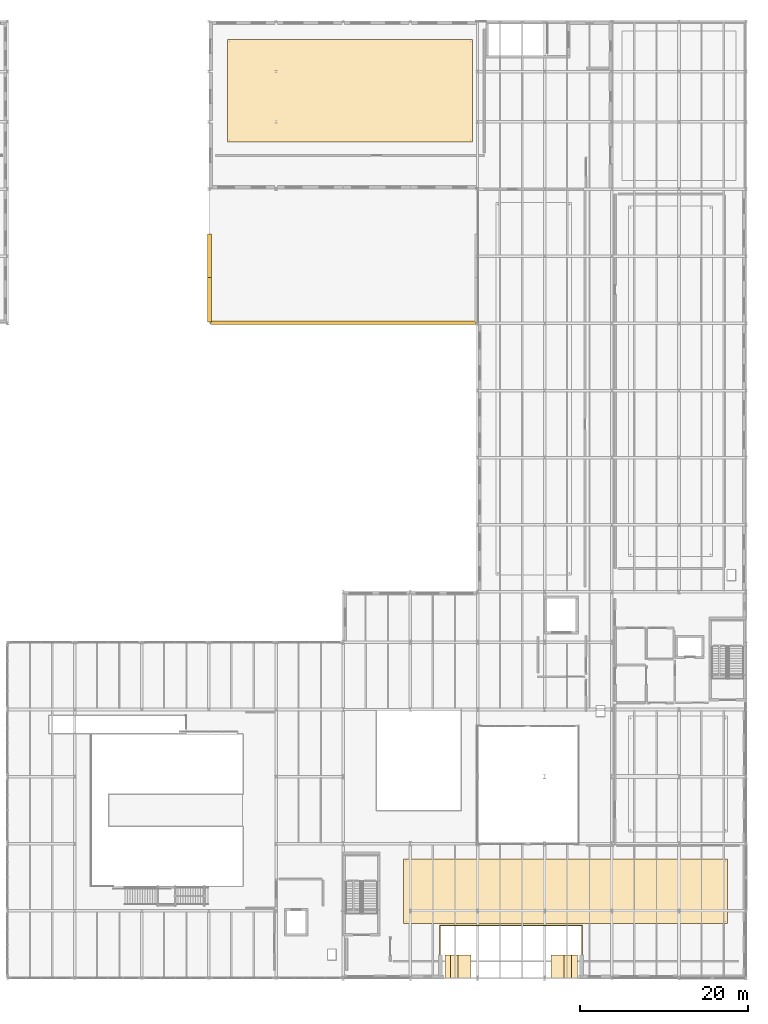
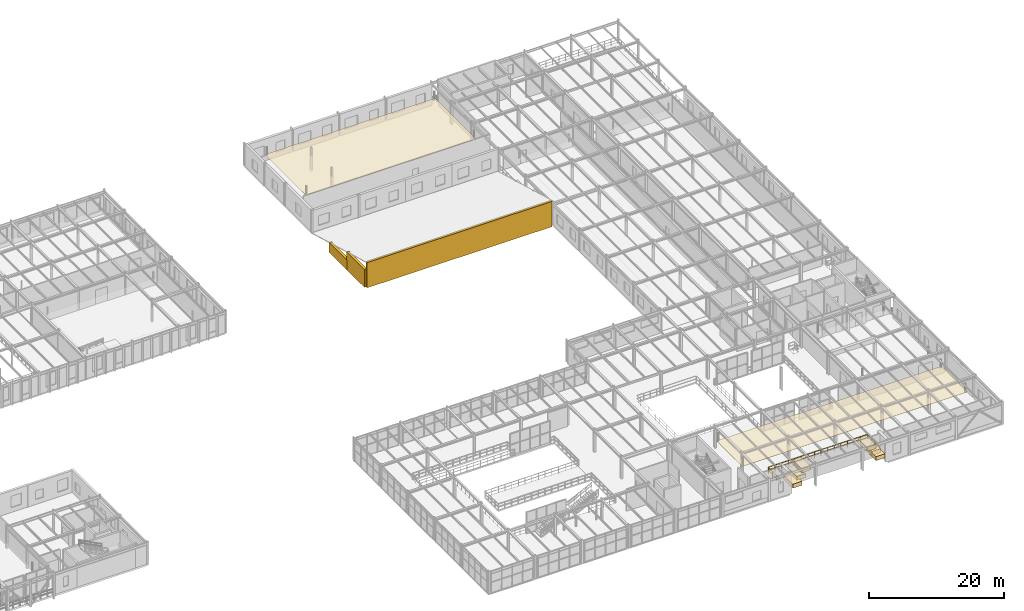
# One storey, part 121 of 124: 11 coverings, 1 railing.
"""IFC4 building model written with IfcOpenShell, lengths in metres."""

from ifc_helpers import new_model, si_unit, direction, frame, origin, origin_2d, place, context, subcontext, project, spatial, polyline, rectangle, circle, outline, extrude, material, layer, layer_set, type_object, element, save


model = new_model("IFC4")

# Units and contexts
model_context = context("Model", 3, precision=1e-05, world=origin(), true_north=direction((0.0, 1.0)))
body_context = subcontext(model_context, "Body", "Model", "MODEL_VIEW")
ifc_project = project(units=[si_unit("LENGTHUNIT", "METRE"), si_unit("AREAUNIT", "SQUARE_METRE"), si_unit("VOLUMEUNIT", "CUBIC_METRE"), si_unit("PLANEANGLEUNIT", "RADIAN"), si_unit("MASSUNIT", "GRAM", prefix="KILO")], contexts=[model_context])

# Site, building, storey
site_placement = place(None, origin())
site = spatial("IfcSite", under=ifc_project, at=site_placement, CompositionType="ELEMENT")
building_placement = place(site_placement, origin())
building = spatial("IfcBuilding", under=site, at=building_placement, Name="Sundkrona Museum", CompositionType="ELEMENT")
storey_placement = place(building_placement, frame((0.0, 0.0, 17.60009765625)))
storey = spatial("IfcBuildingStorey", under=building, at=storey_placement, Name="L03", CompositionType="ELEMENT", Elevation=17.60009765625)

# Coverings
ifc_material_1 = material(Name="Perforated Acoustic Gypsum and Mineral Wool Ceiling", Category="other")
ifc_layer_1 = layer(ifc_material_1, 0.0400390625)
ifc_layer_set_1 = layer_set([ifc_layer_1], Name="Perforated Acoustic Gypsum and Mineral Wool Ceiling")
covering_type_1 = type_object("IfcCoveringType", Name="COV-CEIL-AC", PredefinedType="CEILING", material=ifc_layer_set_1)
covering_1_placement = place(storey_placement, frame((0.0, 0.0, 2.5498046875)))
element("IfcCovering", 1, at=covering_1_placement, inside=storey, type_object=covering_type_1, Name="L03 Evolutionary Biology Gallery Acoustic Ceiling", PredefinedType="CEILING", context=body_context, shape_type="SweptSolid", body=[
    extrude(outline(polyline([(127.199951171875, 6.5), (165.800048828125, 6.5), (165.800048828125, 14.199951171875), (127.199951171875, 14.199951171875), (127.199951171875, 6.5)])), origin(), (0.0, 0.0, 1.0), 0.0400390625),
])
covering_2_placement = place(storey_placement, frame((0.0, 0.0, 2.5498046875)))
element("IfcCovering", 2, at=covering_2_placement, inside=storey, type_object=covering_type_1, Name="L03 Molecular Conservation Laboratory Acoustic Ceiling", PredefinedType="CEILING", context=body_context, shape_type="SweptSolid", body=[
    extrude(outline(polyline([(106.199951171875, 99.60009765625), (135.39990234375, 99.60009765625), (135.39990234375, 111.800048828125), (106.199951171875, 111.800048828125), (106.199951171875, 99.60009765625)])), origin(), (0.0, 0.0, 1.0), 0.0400390625),
])
ifc_material_2 = material(Name="Frost-Resistant Vitrified Stoneware Mosaic Cladding", Category="masonry")
ifc_layer_2 = layer(ifc_material_2, 0.044921875)
ifc_layer_set_2 = layer_set([ifc_layer_2], Name="Frost-Resistant Vitrified Stoneware Mosaic Cladding")
covering_type_2 = type_object("IfcCoveringType", Name="COV-CLD-MOS", PredefinedType="CLADDING", material=ifc_layer_set_2)
for number, where, z_axis, x_axis, name in (
    (3, (147.114501953125, 1.3798828125, 0.857421875), (0.0, 0.0, 1.0), (1.0, 0.0, 0.0), "L03 Giant Round Window Deep Circular Reveal Barrel 03"),
    (4, (146.430419921875, 1.3798828125, 2.04248046875), (0.0, 0.0, 1.0), (1.0, 0.0, 0.0), "L03 Giant Round Window Deep Circular Reveal Barrel 04"),
    (5, (145.55078125, 1.3798828125, 3.0908203125), (0.0, 0.0, 1.0), (1.0, 0.0, 0.0), "L03 Giant Round Window Deep Circular Reveal Barrel 05"),
    (6, (134.44921875, 1.3798828125, 3.0908203125), (0.0, 0.0, 1.0), (1.0, 0.0, 0.0), "L03 Giant Round Window Deep Circular Reveal Barrel 14"),
    (7, (133.569580078125, 1.3798828125, 2.04248046875), (0.0, 0.0, 1.0), (1.0, 0.0, 0.0), "L03 Giant Round Window Deep Circular Reveal Barrel 15"),
    (8, (132.885498046875, 1.3798828125, 0.857421875), (0.0, 0.0, 1.0), (1.0, 0.0, 0.0), "L03 Giant Round Window Deep Circular Reveal Barrel 16"),
):
    element("IfcCovering", number, at=place(storey_placement, frame(where, z_axis=z_axis, x_axis=x_axis)), inside=storey, type_object=covering_type_2, Name=name, PredefinedType="CLADDING", context=body_context, shape_type="SweptSolid", body=[
        extrude(rectangle(XDim=1.550048828125, YDim=2.739990234375, at=origin_2d()), origin(), (0.0, 0.0, 1.0), 0.719970703125),
    ])
ifc_material_3 = material(Name="Standing-Seam Patinated Copper Roofing", Category="other")
ifc_layer_3 = layer(ifc_material_3, 0.044921875)
ifc_layer_set_3 = layer_set([ifc_layer_3], Name="Standing-Seam Patinated Copper Roofing")
covering_type_3 = type_object("IfcCoveringType", Name="COV-RF-COP", PredefinedType="ROOFING", material=ifc_layer_set_3)
covering_3_placement = place(storey_placement, frame((104.080078125, 80.800048828125, -0.27001953125), z_axis=(0.0, 0.0, 1.0), x_axis=(0.0, 1.0, 0.0)))
element("IfcCovering", 9, at=covering_3_placement, inside=storey, type_object=covering_type_3, Name="Auditorium W Gable Tympanum 1", PredefinedType="ROOFING", context=body_context, shape_type="SweptSolid", body=[
    extrude(rectangle(XDim=5.280029296875, YDim=0.43994140625, at=origin_2d()), origin(), (0.0, 0.0, 1.0), 3.239990234375),
])
covering_4_placement = place(storey_placement, frame((104.080078125, 86.0, -0.27001953125), z_axis=(0.0, 0.0, 1.0), x_axis=(0.0, 1.0, 0.0)))
element("IfcCovering", 10, at=covering_4_placement, inside=storey, type_object=covering_type_3, Name="Auditorium W Gable Tympanum 2", PredefinedType="ROOFING", context=body_context, shape_type="SweptSolid", body=[
    extrude(rectangle(XDim=5.280029296875, YDim=0.43994140625, at=origin_2d()), origin(), (0.0, 0.0, 1.0), 1.7880859375),
])
covering_5_placement = place(storey_placement, frame((120.0, 78.080078125, -0.27001953125), z_axis=(0.0, 0.0, 1.0), x_axis=(1.0, 0.0, 0.0)))
element("IfcCovering", 11, at=covering_5_placement, inside=storey, type_object=covering_type_3, Name="Auditorium South Clerestory Gable Cladding", PredefinedType="ROOFING", context=body_context, shape_type="SweptSolid", body=[
    extrude(rectangle(XDim=31.679931640625, YDim=0.43994140625, at=origin_2d()), origin(), (0.0, 0.0, 1.0), 4.580078125),
])

# Railing
ifc_material_4 = material(Name="Painted Steel S355J2 and Laminated Glass Balustrade", Category="steel")
railing_type = type_object("IfcRailingType", Name="RL-GUARD-1100", PredefinedType="BALUSTRADE", material=ifc_material_4)
railing_placement = place(storey_placement, frame((148.4599609375, 2.75, 0.0)))
element("IfcRailing", 12, at=railing_placement, inside=storey, type_object=railing_type, Name="L03 Edge Protection Balustrade 041", PredefinedType="BALUSTRADE", context=body_context, shape_type="SweptSolid", body=[
    extrude(circle(Radius=0.02392578125, at=origin_2d()), frame((0.0, 0.0, 1.09619140625), z_axis=(0.0, 1.0, 0.0), x_axis=(-1.0, 0.0, 0.0)), (0.0, 0.0, 1.0), 3.510009765625),
    extrude(circle(Radius=0.02392578125, at=origin_2d()), frame((0.0, 0.0, 0.56005859375), z_axis=(0.0, 1.0, 0.0), x_axis=(-1.0, 0.0, 0.0)), (0.0, 0.0, 1.0), 3.510009765625),
    extrude(circle(Radius=0.02392578125, at=origin_2d()), frame((0.0, 3.510009765625, 1.09619140625), z_axis=(-1.0, 0.0, 0.0), x_axis=(0.0, -1.0, 0.0)), (0.0, 0.0, 1.0), 16.919921875),
    extrude(circle(Radius=0.02392578125, at=origin_2d()), frame((0.0, 3.510009765625, 0.56005859375), z_axis=(-1.0, 0.0, 0.0), x_axis=(0.0, -1.0, 0.0)), (0.0, 0.0, 1.0), 16.919921875),
    extrude(circle(Radius=0.02392578125, at=origin_2d()), frame((-16.919921875, 3.510009765625, 1.09619140625), z_axis=(0.0, -1.0, 0.0), x_axis=(1.0, 0.0, 0.0)), (0.0, 0.0, 1.0), 3.510009765625),
    extrude(circle(Radius=0.02392578125, at=origin_2d()), frame((-16.919921875, 3.510009765625, 0.56005859375), z_axis=(0.0, -1.0, 0.0), x_axis=(1.0, 0.0, 0.0)), (0.0, 0.0, 1.0), 3.510009765625),
    extrude(circle(Radius=0.02099609375, at=origin_2d()), origin(), (0.0, 0.0, 1.0), 1.072021484375),
    extrude(circle(Radius=0.02099609375, at=origin_2d()), frame((0.0, 1.169921875, 0.0)), (0.0, 0.0, 1.0), 1.072021484375),
    extrude(circle(Radius=0.02099609375, at=origin_2d()), frame((0.0, 2.340087890625, 0.0)), (0.0, 0.0, 1.0), 1.072021484375),
    extrude(circle(Radius=0.02099609375, at=origin_2d()), frame((0.0, 3.510009765625, 0.0)), (0.0, 0.0, 1.0), 1.072021484375),
    extrude(circle(Radius=0.02099609375, at=origin_2d()), frame((-1.1279296875, 3.510009765625, 0.0)), (0.0, 0.0, 1.0), 1.072021484375),
    extrude(circle(Radius=0.02099609375, at=origin_2d()), frame((-2.256103515625, 3.510009765625, 0.0)), (0.0, 0.0, 1.0), 1.072021484375),
    extrude(circle(Radius=0.02099609375, at=origin_2d()), frame((-3.384033203125, 3.510009765625, 0.0)), (0.0, 0.0, 1.0), 1.072021484375),
    extrude(circle(Radius=0.02099609375, at=origin_2d()), frame((-4.511962890625, 3.510009765625, 0.0)), (0.0, 0.0, 1.0), 1.072021484375),
    extrude(circle(Radius=0.02099609375, at=origin_2d()), frame((-5.639892578125, 3.510009765625, 0.0)), (0.0, 0.0, 1.0), 1.072021484375),
    extrude(circle(Radius=0.02099609375, at=origin_2d()), frame((-6.76806640625, 3.510009765625, 0.0)), (0.0, 0.0, 1.0), 1.072021484375),
    extrude(circle(Radius=0.02099609375, at=origin_2d()), frame((-7.89599609375, 3.510009765625, 0.0)), (0.0, 0.0, 1.0), 1.072021484375),
    extrude(circle(Radius=0.02099609375, at=origin_2d()), frame((-9.02392578125, 3.510009765625, 0.0)), (0.0, 0.0, 1.0), 1.072021484375),
    extrude(circle(Radius=0.02099609375, at=origin_2d()), frame((-10.15185546875, 3.510009765625, 0.0)), (0.0, 0.0, 1.0), 1.072021484375),
    extrude(circle(Radius=0.02099609375, at=origin_2d()), frame((-11.280029296875, 3.510009765625, 0.0)), (0.0, 0.0, 1.0), 1.072021484375),
    extrude(circle(Radius=0.02099609375, at=origin_2d()), frame((-12.407958984375, 3.510009765625, 0.0)), (0.0, 0.0, 1.0), 1.072021484375),
    extrude(circle(Radius=0.02099609375, at=origin_2d()), frame((-13.535888671875, 3.510009765625, 0.0)), (0.0, 0.0, 1.0), 1.072021484375),
    extrude(circle(Radius=0.02099609375, at=origin_2d()), frame((-14.663818359375, 3.510009765625, 0.0)), (0.0, 0.0, 1.0), 1.072021484375),
    extrude(circle(Radius=0.02099609375, at=origin_2d()), frame((-15.7919921875, 3.510009765625, 0.0)), (0.0, 0.0, 1.0), 1.072021484375),
    extrude(circle(Radius=0.02099609375, at=origin_2d()), frame((-16.919921875, 3.510009765625, 0.0)), (0.0, 0.0, 1.0), 1.072021484375),
    extrude(circle(Radius=0.02099609375, at=origin_2d()), frame((-16.919921875, 2.340087890625, 0.0)), (0.0, 0.0, 1.0), 1.072021484375),
    extrude(circle(Radius=0.02099609375, at=origin_2d()), frame((-16.919921875, 1.169921875, 0.0)), (0.0, 0.0, 1.0), 1.072021484375),
    extrude(circle(Radius=0.02099609375, at=origin_2d()), frame((-16.919921875, 0.0, 0.0)), (0.0, 0.0, 1.0), 1.072021484375),
])

save(model, "model.ifc")
